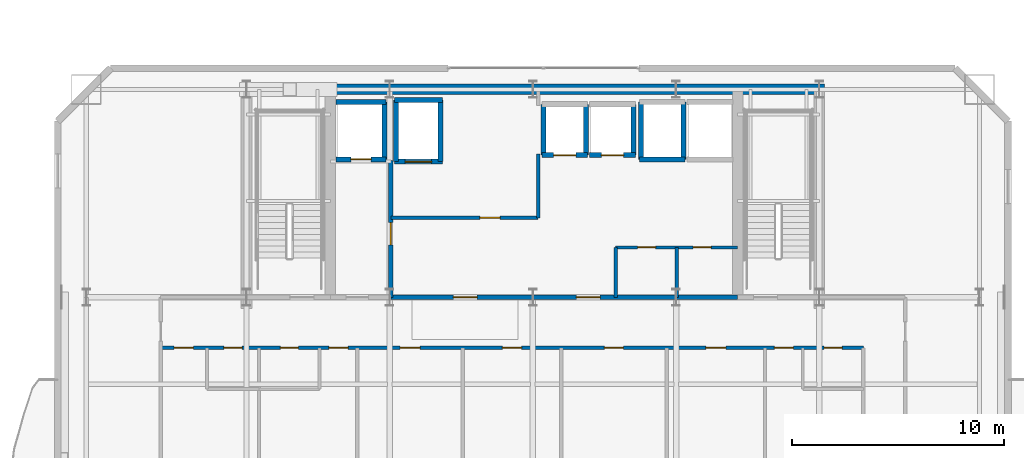
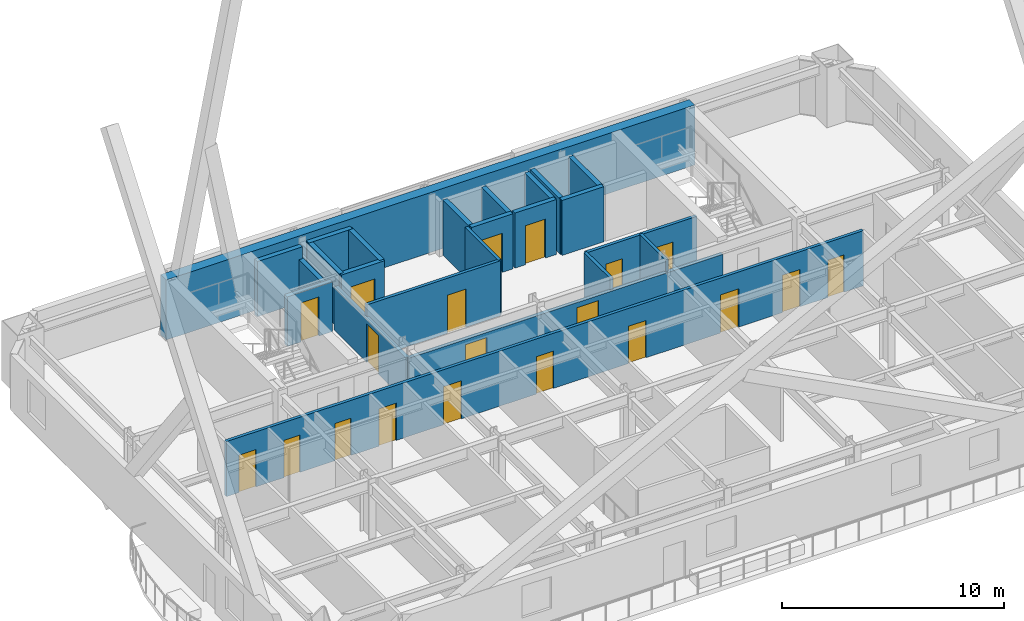
# One storey, part 12 of 22: 24 walls, 20 doors, 20 openings.
"""IFC4 building model written with IfcOpenShell, lengths in metres."""

from ifc_helpers import new_model, si_unit, direction, frame, frame_2d, origin, place, context, subcontext, project, spatial, rectangle, extrude, material, layer, layer_set, type_object, element, fill, save


model = new_model("IFC4")

# Units and contexts
model_context = context("Model", 3, precision=1e-05, world=origin(), true_north=direction((0.0, 1.0)))
body_context = subcontext(model_context, "Body", "Model", "MODEL_VIEW")
ifc_project = project(units=[si_unit("LENGTHUNIT", "METRE"), si_unit("AREAUNIT", "SQUARE_METRE"), si_unit("VOLUMEUNIT", "CUBIC_METRE"), si_unit("PLANEANGLEUNIT", "RADIAN"), si_unit("MASSUNIT", "GRAM", prefix="KILO")], contexts=[model_context])

# Site, building, storey
site_placement = place(None, origin())
site = spatial("IfcSite", under=ifc_project, at=site_placement, CompositionType="ELEMENT")
building_placement = place(site_placement, origin())
building = spatial("IfcBuilding", under=site, at=building_placement, Name="Haevon Station Towers", CompositionType="ELEMENT")
storey_placement = place(building_placement, frame((0.0, 0.0, 113.10009765625)))
storey = spatial("IfcBuildingStorey", under=building, at=storey_placement, Name="L30", CompositionType="ELEMENT", Elevation=113.10009765625)

# Wall, opening, door
ifc_material_1 = material(Name="Gypsum board on steel stud", Category="steel")
ifc_layer_1 = layer(ifc_material_1, 0.199951171875)
ifc_layer_set_1 = layer_set([ifc_layer_1], Name="Gypsum board on steel stud")
wall_type_1 = type_object("IfcWallType", Name="WL-COR200", PredefinedType="PARTITIONING", material=ifc_layer_set_1)
wall_1_placement = place(storey_placement, frame((30.800048828125, 38.199951171875, 0.0), z_axis=(0.0, 0.0, 1.0), x_axis=(0.0, 1.0, 0.0)))
wall_1 = element("IfcWall", 1, at=wall_1_placement, inside=storey, type_object=wall_type_1, Name="WL-T1FFL-L30-E", PredefinedType="PARTITIONING", context=body_context, shape_type="SweptSolid", body=[
    extrude(rectangle(XDim=6.449951171875, YDim=0.199951171875, at=frame_2d((3.22509765625, 0.0))), origin(), (0.0, 0.0, 1.0), 2.3798828125),
])
opening_1_placement = place(wall_1_placement, frame((2.469970703125, 0.0, 0.0)))
opening_1 = element("IfcOpeningElement", 2, at=opening_1_placement, cuts=wall_1, Name="Opening DR-T1FFL-L30-E", PredefinedType="OPENING", context=body_context, shape_type="SweptSolid", body=[
    extrude(rectangle(XDim=1.050048828125, YDim=2.10009765625, at=frame_2d((0.52490234375, 1.050048828125))), frame((0.0, 0.10986328125, 0.0), z_axis=(0.0, -1.0, 0.0), x_axis=(1.0, 0.0, 0.0)), (0.0, 0.0, 1.0), 0.219970703125),
])
ifc_material_2 = material(Name="Engineered oak timber", Category="wood")
door_type_1 = type_object("IfcDoorType", Name="DR-FD60-1050", OperationType="NOTDEFINED", PredefinedType="DOOR", material=ifc_material_2)
door_1_placement = place(opening_1_placement, origin())
door_1 = element("IfcDoor", 3, at=door_1_placement, inside=storey, type_object=door_type_1, Name="L30 Tower 1 Firefighting Lift Lobby Door E", OperationType="SINGLE_SWING_RIGHT", OverallHeight=2.10009765625, OverallWidth=1.050048828125, PredefinedType="DOOR", context=body_context, shape_type="SweptSolid", body=[
    extrude(rectangle(XDim=1.050048828125, YDim=2.10009765625, at=frame_2d((0.52490234375, 1.050048828125))), frame((0.0, 0.02490234375, 0.0), z_axis=(0.0, -1.0, 0.0), x_axis=(1.0, 0.0, 0.0)), (0.0, 0.0, 1.0), 0.050048828125),
])
fill(opening_1, door_1)

# Wall, openings, doors
wall_2_placement = place(storey_placement, frame((30.800048828125, 38.199951171875, 0.0), z_axis=(0.0, 0.0, 1.0), x_axis=(1.0, 0.0, 0.0)))
wall_2 = element("IfcWall", 4, at=wall_2_placement, inside=storey, type_object=wall_type_1, Name="WL-T1CLB-L30", PredefinedType="PARTITIONING", context=body_context, shape_type="SweptSolid", body=[
    extrude(rectangle(XDim=16.349853515625, YDim=0.199951171875, at=frame_2d((8.1748046875, 0.0))), origin(), (0.0, 0.0, 1.0), 2.3798828125),
])
opening_2_placement = place(wall_2_placement, frame((2.949951171875, 0.0, 0.0)))
opening_2 = element("IfcOpeningElement", 5, at=opening_2_placement, cuts=wall_2, Name="Opening DR-T1CLB-L30-1", PredefinedType="OPENING", context=body_context, shape_type="SweptSolid", body=[
    extrude(rectangle(XDim=1.1201171875, YDim=2.10009765625, at=frame_2d((0.56005859375, 1.050048828125))), frame((0.0, 0.10986328125, 0.0), z_axis=(0.0, -1.0, 0.0), x_axis=(1.0, 0.0, 0.0)), (0.0, 0.0, 1.0), 0.219970703125),
])
opening_3_placement = place(wall_2_placement, frame((8.75, 0.0, 0.0)))
opening_3 = element("IfcOpeningElement", 6, at=opening_3_placement, cuts=wall_2, Name="Opening DR-T1CLB-L30-2", PredefinedType="OPENING", context=body_context, shape_type="SweptSolid", body=[
    extrude(rectangle(XDim=1.1201171875, YDim=2.10009765625, at=frame_2d((0.56005859375, 1.050048828125))), frame((0.0, 0.10986328125, 0.0), z_axis=(0.0, -1.0, 0.0), x_axis=(1.0, 0.0, 0.0)), (0.0, 0.0, 1.0), 0.219970703125),
])
door_type_2 = type_object("IfcDoorType", Name="DR-ST-1120", OperationType="NOTDEFINED", PredefinedType="DOOR", material=ifc_material_2)
door_2_placement = place(opening_2_placement, origin())
door_2 = element("IfcDoor", 7, at=door_2_placement, inside=storey, type_object=door_type_2, Name="L30 Tower 1 Core Lift Lobby Door 1", OperationType="SINGLE_SWING_RIGHT", OverallHeight=2.10009765625, OverallWidth=1.1201171875, PredefinedType="DOOR", context=body_context, shape_type="SweptSolid", body=[
    extrude(rectangle(XDim=1.1201171875, YDim=2.10009765625, at=frame_2d((0.56005859375, 1.050048828125))), frame((0.0, 0.02490234375, 0.0), z_axis=(0.0, -1.0, 0.0), x_axis=(1.0, 0.0, 0.0)), (0.0, 0.0, 1.0), 0.050048828125),
])
fill(opening_2, door_2)
door_3_placement = place(opening_3_placement, origin())
door_3 = element("IfcDoor", 8, at=door_3_placement, inside=storey, type_object=door_type_2, Name="L30 Tower 1 Core Lift Lobby Door 2", OperationType="SINGLE_SWING_LEFT", OverallHeight=2.10009765625, OverallWidth=1.1201171875, PredefinedType="DOOR", context=body_context, shape_type="SweptSolid", body=[
    extrude(rectangle(XDim=1.1201171875, YDim=2.10009765625, at=frame_2d((0.56005859375, 1.050048828125))), frame((0.0, 0.02490234375, 0.0), z_axis=(0.0, -1.0, 0.0), x_axis=(1.0, 0.0, 0.0)), (0.0, 0.0, 1.0), 0.050048828125),
])
fill(opening_3, door_3)

# Wall
ifc_material_3 = material(Name="Concrete C60/75", Category="concrete")
ifc_layer_2 = layer(ifc_material_3, 0.5)
ifc_layer_set_2 = layer_set([ifc_layer_2], Name="Concrete C60/75")
wall_type_2 = type_object("IfcWallType", Name="WL-CR500", PredefinedType="SHEAR", material=ifc_layer_set_2)
wall_3_placement = place(storey_placement, frame((23.75, 48.0, 0.0), z_axis=(0.0, 0.0, 1.0), x_axis=(1.0, 0.0, 0.0)))
element("IfcWall", 9, at=wall_3_placement, inside=storey, type_object=wall_type_2, Name="WL-T1CR-L30-N", PredefinedType="SHEAR", context=body_context, shape_type="SweptSolid", body=[
    extrude(rectangle(XDim=27.5, YDim=0.5, at=frame_2d((13.75, 0.0))), origin(), (0.0, 0.0, 1.0), 3.2998046875),
])

# Wall, opening, door
ifc_layer_3 = layer(ifc_material_1, 0.159912109375)
ifc_layer_set_3 = layer_set([ifc_layer_3], Name="Gypsum board on steel stud")
wall_type_3 = type_object("IfcWallType", Name="WL-PRT160", PredefinedType="PARTITIONING", material=ifc_layer_set_3)
wall_4_placement = place(storey_placement, frame((30.800048828125, 41.949951171875, 0.0), z_axis=(0.0, 0.0, 1.0), x_axis=(1.0, 0.0, 0.0)))
wall_4 = element("IfcWall", 10, at=wall_4_placement, inside=storey, type_object=wall_type_3, Name="WL-T1CW-L30-01", PredefinedType="PARTITIONING", context=body_context, shape_type="SweptSolid", body=[
    extrude(rectangle(XDim=6.949951171875, YDim=0.159912109375, at=frame_2d((3.47509765625, 0.0))), origin(), (0.0, 0.0, 1.0), 3.02978515625),
])
opening_4_placement = place(wall_4_placement, frame((4.199951171875, 0.0, 0.0)))
opening_4 = element("IfcOpeningElement", 11, at=opening_4_placement, cuts=wall_4, Name="Opening DR-WL-T1CW-L30-01-1", PredefinedType="OPENING", context=body_context, shape_type="SweptSolid", body=[
    extrude(rectangle(XDim=0.949951171875, YDim=2.10009765625, at=frame_2d((0.47509765625, 1.050048828125))), frame((0.0, 0.08984375, 0.0), z_axis=(0.0, -1.0, 0.0), x_axis=(1.0, 0.0, 0.0)), (0.0, 0.0, 1.0), 0.179931640625),
])
door_type_3 = type_object("IfcDoorType", Name="DR-FD60-950", OperationType="NOTDEFINED", PredefinedType="DOOR", material=ifc_material_2)
door_4_placement = place(opening_4_placement, origin())
door_4 = element("IfcDoor", 12, at=door_4_placement, inside=storey, type_object=door_type_3, Name="L30 Tower 1 Core Room Door 1-1", OperationType="SINGLE_SWING_RIGHT", OverallHeight=2.10009765625, OverallWidth=0.949951171875, PredefinedType="DOOR", context=body_context, shape_type="SweptSolid", body=[
    extrude(rectangle(XDim=0.949951171875, YDim=2.10009765625, at=frame_2d((0.47509765625, 1.050048828125))), frame((0.0, 0.02490234375, 0.0), z_axis=(0.0, -1.0, 0.0), x_axis=(1.0, 0.0, 0.0)), (0.0, 0.0, 1.0), 0.050048828125),
])
fill(opening_4, door_4)

# Walls
wall_5_placement = place(storey_placement, frame((37.75, 41.949951171875, 0.0), z_axis=(0.0, 0.0, 1.0), x_axis=(0.0, 1.0, 0.0)))
element("IfcWall", 13, at=wall_5_placement, inside=storey, type_object=wall_type_3, Name="WL-T1CW-L30-02", PredefinedType="PARTITIONING", context=body_context, shape_type="SweptSolid", body=[
    extrude(rectangle(XDim=3.0, YDim=0.159912109375, at=frame_2d((1.5, 0.0))), origin(), (0.0, 0.0, 1.0), 3.02978515625),
])
for number, where, z_axis, x_axis, name in (
    (14, (41.39990234375, 38.199951171875, 0.0), (0.0, 0.0, 1.0), (0.0, 1.0, 0.0), "WL-T1CW-L30-04"),
    (15, (44.280029296875, 38.199951171875, 0.0), (0.0, 0.0, 1.0), (0.0, 1.0, 0.0), "WL-T1CW-L30-05"),
):
    element("IfcWall", number, at=place(storey_placement, frame(where, z_axis=z_axis, x_axis=x_axis)), inside=storey, type_object=wall_type_3, Name=name, PredefinedType="PARTITIONING", context=body_context, shape_type="SweptSolid", body=[
        extrude(rectangle(XDim=2.35009765625, YDim=0.159912109375, at=frame_2d((1.175048828125, 0.0))), origin(), (0.0, 0.0, 1.0), 3.02978515625),
    ])

# Wall, openings, doors
wall_6_placement = place(storey_placement, frame((41.39990234375, 40.550048828125, 0.0), z_axis=(0.0, 0.0, 1.0), x_axis=(1.0, 0.0, 0.0)))
wall_6 = element("IfcWall", 16, at=wall_6_placement, inside=storey, type_object=wall_type_3, Name="WL-T1CW-L30-06", PredefinedType="PARTITIONING", context=body_context, shape_type="SweptSolid", body=[
    extrude(rectangle(XDim=5.75, YDim=0.159912109375, at=frame_2d((2.875, 0.0))), origin(), (0.0, 0.0, 1.0), 3.02978515625),
])
opening_5_placement = place(wall_6_placement, frame((1.034912109375, 0.0, 0.0)))
opening_5 = element("IfcOpeningElement", 17, at=opening_5_placement, cuts=wall_6, Name="Opening DR-WL-T1CW-L30-06-1", PredefinedType="OPENING", context=body_context, shape_type="SweptSolid", body=[
    extrude(rectangle(XDim=0.85009765625, YDim=2.050048828125, at=frame_2d((0.425048828125, 1.02490234375))), frame((0.0, 0.08984375, 0.0), z_axis=(0.0, -1.0, 0.0), x_axis=(1.0, 0.0, 0.0)), (0.0, 0.0, 1.0), 0.179931640625),
])
opening_6_placement = place(wall_6_placement, frame((3.655029296875, 0.0, 0.0)))
opening_6 = element("IfcOpeningElement", 18, at=opening_6_placement, cuts=wall_6, Name="Opening DR-WL-T1CW-L30-06-2", PredefinedType="OPENING", context=body_context, shape_type="SweptSolid", body=[
    extrude(rectangle(XDim=0.85009765625, YDim=2.050048828125, at=frame_2d((0.425048828125, 1.02490234375))), frame((0.0, 0.08984375, 0.0), z_axis=(0.0, -1.0, 0.0), x_axis=(1.0, 0.0, 0.0)), (0.0, 0.0, 1.0), 0.179931640625),
])
door_type_4 = type_object("IfcDoorType", Name="DR-FD30-850", OperationType="NOTDEFINED", PredefinedType="DOOR", material=ifc_material_2)
door_5_placement = place(opening_5_placement, origin())
door_5 = element("IfcDoor", 19, at=door_5_placement, inside=storey, type_object=door_type_4, Name="L30 Tower 1 Core Room Door 6-1", OperationType="SINGLE_SWING_LEFT", OverallHeight=2.050048828125, OverallWidth=0.85009765625, PredefinedType="DOOR", context=body_context, shape_type="SweptSolid", body=[
    extrude(rectangle(XDim=0.85009765625, YDim=2.050048828125, at=frame_2d((0.425048828125, 1.02490234375))), frame((0.0, 0.02490234375, 0.0), z_axis=(0.0, -1.0, 0.0), x_axis=(1.0, 0.0, 0.0)), (0.0, 0.0, 1.0), 0.050048828125),
])
fill(opening_5, door_5)
door_6_placement = place(opening_6_placement, origin())
door_6 = element("IfcDoor", 20, at=door_6_placement, inside=storey, type_object=door_type_4, Name="L30 Tower 1 Core Room Door 6-2", OperationType="SINGLE_SWING_RIGHT", OverallHeight=2.050048828125, OverallWidth=0.85009765625, PredefinedType="DOOR", context=body_context, shape_type="SweptSolid", body=[
    extrude(rectangle(XDim=0.85009765625, YDim=2.050048828125, at=frame_2d((0.425048828125, 1.02490234375))), frame((0.0, 0.02490234375, 0.0), z_axis=(0.0, -1.0, 0.0), x_axis=(1.0, 0.0, 0.0)), (0.0, 0.0, 1.0), 0.050048828125),
])
fill(opening_6, door_6)

wall_7_placement = place(storey_placement, frame((19.949951171875, 35.820068359375, 0.0), z_axis=(0.0, 0.0, 1.0), x_axis=(1.0, 0.0, 0.0)))
wall_7 = element("IfcWall", 21, at=wall_7_placement, inside=storey, type_object=wall_type_3, Name="WL-T1PT-L30-24", PredefinedType="PARTITIONING", context=body_context, shape_type="SweptSolid", body=[
    extrude(rectangle(XDim=33.130126953125, YDim=0.159912109375, at=frame_2d((16.56494140625, 0.0))), origin(), (0.0, 0.0, 1.0), 3.02978515625),
])
opening_7_placement = place(wall_7_placement, frame((2.988037109375, 0.0, 0.0)))
opening_7 = element("IfcOpeningElement", 22, at=opening_7_placement, cuts=wall_7, Name="Opening DR-WL-T1PT-L30-24-01", PredefinedType="OPENING", context=body_context, shape_type="SweptSolid", body=[
    extrude(rectangle(XDim=0.85009765625, YDim=2.050048828125, at=frame_2d((0.425048828125, 1.02490234375))), frame((0.0, 0.08984375, 0.0), z_axis=(0.0, -1.0, 0.0), x_axis=(1.0, 0.0, 0.0)), (0.0, 0.0, 1.0), 0.179931640625),
])
opening_8_placement = place(wall_7_placement, frame((0.64404296875, 0.0, 0.0)))
opening_8 = element("IfcOpeningElement", 23, at=opening_8_placement, cuts=wall_7, Name="Opening DR-WL-T1PT-L30-24-02", PredefinedType="OPENING", context=body_context, shape_type="SweptSolid", body=[
    extrude(rectangle(XDim=0.89990234375, YDim=2.050048828125, at=frame_2d((0.449951171875, 1.02490234375))), frame((0.0, 0.08984375, 0.0), z_axis=(0.0, -1.0, 0.0), x_axis=(1.0, 0.0, 0.0)), (0.0, 0.0, 1.0), 0.179931640625),
])
opening_9_placement = place(wall_7_placement, frame((5.64208984375, 0.0, 0.0)))
opening_9 = element("IfcOpeningElement", 24, at=opening_9_placement, cuts=wall_7, Name="Opening DR-WL-T1PT-L30-24-03", PredefinedType="OPENING", context=body_context, shape_type="SweptSolid", body=[
    extrude(rectangle(XDim=0.85009765625, YDim=2.050048828125, at=frame_2d((0.425048828125, 1.02490234375))), frame((0.0, 0.08984375, 0.0), z_axis=(0.0, -1.0, 0.0), x_axis=(1.0, 0.0, 0.0)), (0.0, 0.0, 1.0), 0.179931640625),
])
opening_10_placement = place(wall_7_placement, frame((7.93603515625, 0.0, 0.0)))
opening_10 = element("IfcOpeningElement", 25, at=opening_10_placement, cuts=wall_7, Name="Opening DR-WL-T1PT-L30-24-04", PredefinedType="OPENING", context=body_context, shape_type="SweptSolid", body=[
    extrude(rectangle(XDim=0.89990234375, YDim=2.050048828125, at=frame_2d((0.449951171875, 1.02490234375))), frame((0.0, 0.08984375, 0.0), z_axis=(0.0, -1.0, 0.0), x_axis=(1.0, 0.0, 0.0)), (0.0, 0.0, 1.0), 0.179931640625),
])
opening_11_placement = place(wall_7_placement, frame((11.285888671875, 0.0, 0.0)))
opening_11 = element("IfcOpeningElement", 26, at=opening_11_placement, cuts=wall_7, Name="Opening DR-WL-T1PT-L30-24-05", PredefinedType="OPENING", context=body_context, shape_type="SweptSolid", body=[
    extrude(rectangle(XDim=0.949951171875, YDim=2.10009765625, at=frame_2d((0.47509765625, 1.050048828125))), frame((0.0, 0.08984375, 0.0), z_axis=(0.0, -1.0, 0.0), x_axis=(1.0, 0.0, 0.0)), (0.0, 0.0, 1.0), 0.179931640625),
])
opening_12_placement = place(wall_7_placement, frame((16.114990234375, 0.0, 0.0)))
opening_12 = element("IfcOpeningElement", 27, at=opening_12_placement, cuts=wall_7, Name="Opening DR-WL-T1PT-L30-24-06", PredefinedType="OPENING", context=body_context, shape_type="SweptSolid", body=[
    extrude(rectangle(XDim=0.89990234375, YDim=2.050048828125, at=frame_2d((0.449951171875, 1.02490234375))), frame((0.0, 0.08984375, 0.0), z_axis=(0.0, -1.0, 0.0), x_axis=(1.0, 0.0, 0.0)), (0.0, 0.0, 1.0), 0.179931640625),
])
opening_13_placement = place(wall_7_placement, frame((20.9189453125, 0.0, 0.0)))
opening_13 = element("IfcOpeningElement", 28, at=opening_13_placement, cuts=wall_7, Name="Opening DR-WL-T1PT-L30-24-07", PredefinedType="OPENING", context=body_context, shape_type="SweptSolid", body=[
    extrude(rectangle(XDim=0.89990234375, YDim=2.050048828125, at=frame_2d((0.449951171875, 1.02490234375))), frame((0.0, 0.08984375, 0.0), z_axis=(0.0, -1.0, 0.0), x_axis=(1.0, 0.0, 0.0)), (0.0, 0.0, 1.0), 0.179931640625),
])
opening_14_placement = place(wall_7_placement, frame((25.697998046875, 0.0, 0.0)))
opening_14 = element("IfcOpeningElement", 29, at=opening_14_placement, cuts=wall_7, Name="Opening DR-WL-T1PT-L30-24-08", PredefinedType="OPENING", context=body_context, shape_type="SweptSolid", body=[
    extrude(rectangle(XDim=0.949951171875, YDim=2.10009765625, at=frame_2d((0.47509765625, 1.050048828125))), frame((0.0, 0.08984375, 0.0), z_axis=(0.0, -1.0, 0.0), x_axis=(1.0, 0.0, 0.0)), (0.0, 0.0, 1.0), 0.179931640625),
])
opening_15_placement = place(wall_7_placement, frame((31.27587890625, 0.0, 0.0)))
opening_15 = element("IfcOpeningElement", 30, at=opening_15_placement, cuts=wall_7, Name="Opening DR-WL-T1PT-L30-24-09", PredefinedType="OPENING", context=body_context, shape_type="SweptSolid", body=[
    extrude(rectangle(XDim=0.85009765625, YDim=2.050048828125, at=frame_2d((0.425048828125, 1.02490234375))), frame((0.0, 0.08984375, 0.0), z_axis=(0.0, -1.0, 0.0), x_axis=(1.0, 0.0, 0.0)), (0.0, 0.0, 1.0), 0.179931640625),
])
opening_16_placement = place(wall_7_placement, frame((28.931884765625, 0.0, 0.0)))
opening_16 = element("IfcOpeningElement", 31, at=opening_16_placement, cuts=wall_7, Name="Opening DR-WL-T1PT-L30-24-10", PredefinedType="OPENING", context=body_context, shape_type="SweptSolid", body=[
    extrude(rectangle(XDim=0.89990234375, YDim=2.050048828125, at=frame_2d((0.449951171875, 1.02490234375))), frame((0.0, 0.08984375, 0.0), z_axis=(0.0, -1.0, 0.0), x_axis=(1.0, 0.0, 0.0)), (0.0, 0.0, 1.0), 0.179931640625),
])
door_7_placement = place(opening_7_placement, origin())
door_7 = element("IfcDoor", 32, at=door_7_placement, inside=storey, type_object=door_type_4, Name="L30 Tower 1 Room Door 24-1", OperationType="SINGLE_SWING_LEFT", OverallHeight=2.050048828125, OverallWidth=0.85009765625, PredefinedType="DOOR", context=body_context, shape_type="SweptSolid", body=[
    extrude(rectangle(XDim=0.85009765625, YDim=2.050048828125, at=frame_2d((0.425048828125, 1.02490234375))), frame((0.0, 0.02490234375, 0.0), z_axis=(0.0, -1.0, 0.0), x_axis=(1.0, 0.0, 0.0)), (0.0, 0.0, 1.0), 0.050048828125),
])
fill(opening_7, door_7)
door_8_placement = place(opening_9_placement, origin())
door_8 = element("IfcDoor", 33, at=door_8_placement, inside=storey, type_object=door_type_4, Name="L30 Tower 1 Room Door 24-3", OperationType="SINGLE_SWING_LEFT", OverallHeight=2.050048828125, OverallWidth=0.85009765625, PredefinedType="DOOR", context=body_context, shape_type="SweptSolid", body=[
    extrude(rectangle(XDim=0.85009765625, YDim=2.050048828125, at=frame_2d((0.425048828125, 1.02490234375))), frame((0.0, 0.02490234375, 0.0), z_axis=(0.0, -1.0, 0.0), x_axis=(1.0, 0.0, 0.0)), (0.0, 0.0, 1.0), 0.050048828125),
])
fill(opening_9, door_8)
door_9_placement = place(opening_15_placement, origin())
door_9 = element("IfcDoor", 34, at=door_9_placement, inside=storey, type_object=door_type_4, Name="L30 Tower 1 Room Door 24-9", OperationType="SINGLE_SWING_LEFT", OverallHeight=2.050048828125, OverallWidth=0.85009765625, PredefinedType="DOOR", context=body_context, shape_type="SweptSolid", body=[
    extrude(rectangle(XDim=0.85009765625, YDim=2.050048828125, at=frame_2d((0.425048828125, 1.02490234375))), frame((0.0, 0.02490234375, 0.0), z_axis=(0.0, -1.0, 0.0), x_axis=(1.0, 0.0, 0.0)), (0.0, 0.0, 1.0), 0.050048828125),
])
fill(opening_15, door_9)
door_type_5 = type_object("IfcDoorType", Name="DR-FD30-950", OperationType="NOTDEFINED", PredefinedType="DOOR", material=ifc_material_2)
door_10_placement = place(opening_11_placement, origin())
door_10 = element("IfcDoor", 35, at=door_10_placement, inside=storey, type_object=door_type_5, Name="L30 Tower 1 Room Door 24-5", OperationType="SINGLE_SWING_LEFT", OverallHeight=2.10009765625, OverallWidth=0.949951171875, PredefinedType="DOOR", context=body_context, shape_type="SweptSolid", body=[
    extrude(rectangle(XDim=0.949951171875, YDim=2.10009765625, at=frame_2d((0.47509765625, 1.050048828125))), frame((0.0, 0.02490234375, 0.0), z_axis=(0.0, -1.0, 0.0), x_axis=(1.0, 0.0, 0.0)), (0.0, 0.0, 1.0), 0.050048828125),
])
fill(opening_11, door_10)
door_11_placement = place(opening_14_placement, origin())
door_11 = element("IfcDoor", 36, at=door_11_placement, inside=storey, type_object=door_type_5, Name="L30 Tower 1 Room Door 24-8", OperationType="SINGLE_SWING_RIGHT", OverallHeight=2.10009765625, OverallWidth=0.949951171875, PredefinedType="DOOR", context=body_context, shape_type="SweptSolid", body=[
    extrude(rectangle(XDim=0.949951171875, YDim=2.10009765625, at=frame_2d((0.47509765625, 1.050048828125))), frame((0.0, 0.02490234375, 0.0), z_axis=(0.0, -1.0, 0.0), x_axis=(1.0, 0.0, 0.0)), (0.0, 0.0, 1.0), 0.050048828125),
])
fill(opening_14, door_11)
door_type_6 = type_object("IfcDoorType", Name="DR-INT-900", OperationType="NOTDEFINED", PredefinedType="DOOR", material=ifc_material_2)
door_12_placement = place(opening_8_placement, origin())
door_12 = element("IfcDoor", 37, at=door_12_placement, inside=storey, type_object=door_type_6, Name="L30 Tower 1 Room Door 24-2", OperationType="SINGLE_SWING_RIGHT", OverallHeight=2.050048828125, OverallWidth=0.89990234375, PredefinedType="DOOR", context=body_context, shape_type="SweptSolid", body=[
    extrude(rectangle(XDim=0.89990234375, YDim=2.050048828125, at=frame_2d((0.449951171875, 1.02490234375))), frame((0.0, 0.02490234375, 0.0), z_axis=(0.0, -1.0, 0.0), x_axis=(1.0, 0.0, 0.0)), (0.0, 0.0, 1.0), 0.050048828125),
])
fill(opening_8, door_12)
door_13_placement = place(opening_10_placement, origin())
door_13 = element("IfcDoor", 38, at=door_13_placement, inside=storey, type_object=door_type_6, Name="L30 Tower 1 Room Door 24-4", OperationType="SINGLE_SWING_RIGHT", OverallHeight=2.050048828125, OverallWidth=0.89990234375, PredefinedType="DOOR", context=body_context, shape_type="SweptSolid", body=[
    extrude(rectangle(XDim=0.89990234375, YDim=2.050048828125, at=frame_2d((0.449951171875, 1.02490234375))), frame((0.0, 0.02490234375, 0.0), z_axis=(0.0, -1.0, 0.0), x_axis=(1.0, 0.0, 0.0)), (0.0, 0.0, 1.0), 0.050048828125),
])
fill(opening_10, door_13)
door_14_placement = place(opening_12_placement, origin())
door_14 = element("IfcDoor", 39, at=door_14_placement, inside=storey, type_object=door_type_6, Name="L30 Tower 1 Room Door 24-6", OperationType="SINGLE_SWING_RIGHT", OverallHeight=2.050048828125, OverallWidth=0.89990234375, PredefinedType="DOOR", context=body_context, shape_type="SweptSolid", body=[
    extrude(rectangle(XDim=0.89990234375, YDim=2.050048828125, at=frame_2d((0.449951171875, 1.02490234375))), frame((0.0, 0.02490234375, 0.0), z_axis=(0.0, -1.0, 0.0), x_axis=(1.0, 0.0, 0.0)), (0.0, 0.0, 1.0), 0.050048828125),
])
fill(opening_12, door_14)
door_15_placement = place(opening_13_placement, origin())
door_15 = element("IfcDoor", 40, at=door_15_placement, inside=storey, type_object=door_type_6, Name="L30 Tower 1 Room Door 24-7", OperationType="SINGLE_SWING_LEFT", OverallHeight=2.050048828125, OverallWidth=0.89990234375, PredefinedType="DOOR", context=body_context, shape_type="SweptSolid", body=[
    extrude(rectangle(XDim=0.89990234375, YDim=2.050048828125, at=frame_2d((0.449951171875, 1.02490234375))), frame((0.0, 0.02490234375, 0.0), z_axis=(0.0, -1.0, 0.0), x_axis=(1.0, 0.0, 0.0)), (0.0, 0.0, 1.0), 0.050048828125),
])
fill(opening_13, door_15)
door_16_placement = place(opening_16_placement, origin())
door_16 = element("IfcDoor", 41, at=door_16_placement, inside=storey, type_object=door_type_6, Name="L30 Tower 1 Room Door 24-10", OperationType="SINGLE_SWING_RIGHT", OverallHeight=2.050048828125, OverallWidth=0.89990234375, PredefinedType="DOOR", context=body_context, shape_type="SweptSolid", body=[
    extrude(rectangle(XDim=0.89990234375, YDim=2.050048828125, at=frame_2d((0.449951171875, 1.02490234375))), frame((0.0, 0.02490234375, 0.0), z_axis=(0.0, -1.0, 0.0), x_axis=(1.0, 0.0, 0.0)), (0.0, 0.0, 1.0), 0.050048828125),
])
fill(opening_16, door_16)

# Wall, opening, door
ifc_material_4 = material(Name="Concrete C40/50", Category="concrete")
ifc_layer_4 = layer(ifc_material_4, 0.239990234375)
ifc_layer_set_4 = layer_set([ifc_layer_4], Name="Concrete C40/50")
wall_type_4 = type_object("IfcWallType", Name="WL-SHF240", PredefinedType="PARTITIONING", material=ifc_layer_set_4)
wall_8_placement = place(storey_placement, frame((28.219970703125, 44.699951171875, 0.0), z_axis=(0.0, 0.0, 1.0), x_axis=(1.0, 0.0, 0.0)))
wall_8 = element("IfcWall", 42, at=wall_8_placement, inside=storey, type_object=wall_type_4, Name="WL-SHF-FL1-L30", PredefinedType="PARTITIONING", context=body_context, shape_type="SweptSolid", body=[
    extrude(rectangle(XDim=2.360107421875, YDim=0.239990234375, at=frame_2d((1.18017578125, 0.0))), origin(), (0.0, 0.0, 1.0), 2.72998046875),
])
opening_17_placement = place(wall_8_placement, frame((0.705078125, 0.0, 0.0)))
opening_17 = element("IfcOpeningElement", 43, at=opening_17_placement, cuts=wall_8, Name="Opening LD-FL1-L30", PredefinedType="OPENING", context=body_context, shape_type="SweptSolid", body=[
    extrude(rectangle(XDim=0.949951171875, YDim=2.14990234375, at=frame_2d((0.47509765625, 1.074951171875))), frame((0.0, 0.1298828125, 0.0), z_axis=(0.0, -1.0, 0.0), x_axis=(1.0, 0.0, 0.0)), (0.0, 0.0, 1.0), 0.260009765625),
])
ifc_material_5 = material(Name="Stainless steel and rated core", Category="steel")
door_type_7 = type_object("IfcDoorType", Name="LD-FL950", OperationType="SLIDING_TO_LEFT", PredefinedType="DOOR", material=ifc_material_5)
door_17_placement = place(opening_17_placement, origin())
door_17 = element("IfcDoor", 44, at=door_17_placement, inside=storey, type_object=door_type_7, Name="L30 Lift FL1 Sliding Landing Door", OperationType="SLIDING_TO_LEFT", OverallHeight=2.14990234375, OverallWidth=0.949951171875, PredefinedType="DOOR", context=body_context, shape_type="SweptSolid", body=[
    extrude(rectangle(XDim=0.949951171875, YDim=2.14990234375, at=frame_2d((0.47509765625, 1.074951171875))), frame((0.0, 0.02490234375, 0.0), z_axis=(0.0, -1.0, 0.0), x_axis=(1.0, 0.0, 0.0)), (0.0, 0.0, 1.0), 0.050048828125),
])
fill(opening_17, door_17)

# Walls
wall_9_placement = place(storey_placement, frame((28.219970703125, 47.39990234375, 0.0), z_axis=(0.0, 0.0, 1.0), x_axis=(1.0, 0.0, 0.0)))
element("IfcWall", 45, at=wall_9_placement, inside=storey, type_object=wall_type_4, Name="WL-SHF-FL1-L30-N", PredefinedType="PARTITIONING", context=body_context, shape_type="SweptSolid", body=[
    extrude(rectangle(XDim=2.360107421875, YDim=0.239990234375, at=frame_2d((1.18017578125, 0.0))), origin(), (0.0, 0.0, 1.0), 3.02978515625),
])
wall_10_placement = place(storey_placement, frame((30.5, 44.699951171875, 0.0), z_axis=(0.0, 0.0, 1.0), x_axis=(0.0, 1.0, 0.0)))
element("IfcWall", 46, at=wall_10_placement, inside=storey, type_object=wall_type_4, Name="WL-SHF-FL1-L30-E", PredefinedType="PARTITIONING", context=body_context, shape_type="SweptSolid", body=[
    extrude(rectangle(XDim=2.699951171875, YDim=0.239990234375, at=frame_2d((1.35009765625, 0.0))), origin(), (0.0, 0.0, 1.0), 2.3798828125),
])

# Wall, opening, door
wall_11_placement = place(storey_placement, frame((30.969970703125, 44.60009765625, 0.0), z_axis=(0.0, 0.0, 1.0), x_axis=(1.0, 0.0, 0.0)))
wall_11 = element("IfcWall", 47, at=wall_11_placement, inside=storey, type_object=wall_type_4, Name="WL-SHF-SL1-L30", PredefinedType="PARTITIONING", context=body_context, shape_type="SweptSolid", body=[
    extrude(rectangle(XDim=2.260009765625, YDim=0.239990234375, at=frame_2d((1.1298828125, 0.0))), origin(), (0.0, 0.0, 1.0), 3.02978515625),
])
opening_18_placement = place(wall_11_placement, frame((0.5048828125, 0.0, 0.0)))
opening_18 = element("IfcOpeningElement", 48, at=opening_18_placement, cuts=wall_11, Name="Opening LD-SL1-L30", PredefinedType="OPENING", context=body_context, shape_type="SweptSolid", body=[
    extrude(rectangle(XDim=1.25, YDim=2.199951171875, at=frame_2d((0.625, 1.10009765625))), frame((0.0, 0.1298828125, 0.0), z_axis=(0.0, -1.0, 0.0), x_axis=(1.0, 0.0, 0.0)), (0.0, 0.0, 1.0), 0.260009765625),
])
door_type_8 = type_object("IfcDoorType", Name="LD-SL1250", OperationType="SLIDING_TO_LEFT", PredefinedType="DOOR", material=ifc_material_5)
door_18_placement = place(opening_18_placement, origin())
door_18 = element("IfcDoor", 49, at=door_18_placement, inside=storey, type_object=door_type_8, Name="L30 Lift SL1 Sliding Landing Door", OperationType="SLIDING_TO_LEFT", OverallHeight=2.199951171875, OverallWidth=1.25, PredefinedType="DOOR", context=body_context, shape_type="SweptSolid", body=[
    extrude(rectangle(XDim=1.25, YDim=2.199951171875, at=frame_2d((0.625, 1.10009765625))), frame((0.0, 0.02490234375, 0.0), z_axis=(0.0, -1.0, 0.0), x_axis=(1.0, 0.0, 0.0)), (0.0, 0.0, 1.0), 0.050048828125),
])
fill(opening_18, door_18)

# Walls
wall_12_placement = place(storey_placement, frame((30.969970703125, 47.5, 0.0), z_axis=(0.0, 0.0, 1.0), x_axis=(1.0, 0.0, 0.0)))
element("IfcWall", 50, at=wall_12_placement, inside=storey, type_object=wall_type_4, Name="WL-SHF-SL1-L30-N", PredefinedType="PARTITIONING", context=body_context, shape_type="SweptSolid", body=[
    extrude(rectangle(XDim=2.260009765625, YDim=0.239990234375, at=frame_2d((1.1298828125, 0.0))), origin(), (0.0, 0.0, 1.0), 3.02978515625),
])
for number, where, z_axis, x_axis, name in (
    (51, (31.050048828125, 44.60009765625, 0.0), (0.0, 0.0, 1.0), (0.0, 1.0, 0.0), "WL-SHF-SL1-L30-W"),
    (52, (33.14990234375, 44.60009765625, 0.0), (0.0, 0.0, 1.0), (0.0, 1.0, 0.0), "WL-SHF-SL1-L30-E"),
):
    element("IfcWall", number, at=place(storey_placement, frame(where, z_axis=z_axis, x_axis=x_axis)), inside=storey, type_object=wall_type_4, Name=name, PredefinedType="PARTITIONING", context=body_context, shape_type="SweptSolid", body=[
        extrude(rectangle(XDim=2.89990234375, YDim=0.239990234375, at=frame_2d((1.449951171875, 0.0))), origin(), (0.0, 0.0, 1.0), 3.02978515625),
    ])

# Wall, opening, door
wall_13_placement = place(storey_placement, frame((37.919921875, 44.89990234375, 0.0), z_axis=(0.0, 0.0, 1.0), x_axis=(1.0, 0.0, 0.0)))
wall_13 = element("IfcWall", 53, at=wall_13_placement, inside=storey, type_object=wall_type_4, Name="WL-SHF-PL3-L30", PredefinedType="PARTITIONING", context=body_context, shape_type="SweptSolid", body=[
    extrude(rectangle(XDim=2.16015625, YDim=0.239990234375, at=frame_2d((1.080078125, 0.0))), origin(), (0.0, 0.0, 1.0), 3.02978515625),
])
opening_19_placement = place(wall_13_placement, frame((0.554931640625, 0.0, 0.0)))
opening_19 = element("IfcOpeningElement", 54, at=opening_19_placement, cuts=wall_13, Name="Opening LD-PL3-L30", PredefinedType="OPENING", context=body_context, shape_type="SweptSolid", body=[
    extrude(rectangle(XDim=1.050048828125, YDim=2.14990234375, at=frame_2d((0.52490234375, 1.074951171875))), frame((0.0, 0.1298828125, 0.0), z_axis=(0.0, -1.0, 0.0), x_axis=(1.0, 0.0, 0.0)), (0.0, 0.0, 1.0), 0.260009765625),
])
door_type_9 = type_object("IfcDoorType", Name="LD-PL1050", OperationType="SLIDING_TO_LEFT", PredefinedType="DOOR", material=ifc_material_5)
door_19_placement = place(opening_19_placement, origin())
door_19 = element("IfcDoor", 55, at=door_19_placement, inside=storey, type_object=door_type_9, Name="L30 Lift PL3 Sliding Landing Door", OperationType="SLIDING_TO_LEFT", OverallHeight=2.14990234375, OverallWidth=1.050048828125, PredefinedType="DOOR", context=body_context, shape_type="SweptSolid", body=[
    extrude(rectangle(XDim=1.050048828125, YDim=2.14990234375, at=frame_2d((0.52490234375, 1.074951171875))), frame((0.0, 0.02490234375, 0.0), z_axis=(0.0, -1.0, 0.0), x_axis=(1.0, 0.0, 0.0)), (0.0, 0.0, 1.0), 0.050048828125),
])
fill(opening_19, door_19)

# Walls
for number, where, z_axis, x_axis, name in (
    (56, (38.0, 44.89990234375, 0.0), (0.0, 0.0, 1.0), (0.0, 1.0, 0.0), "WL-SHF-PL3-L30-W"),
    (57, (40.0, 44.89990234375, 0.0), (0.0, 0.0, 1.0), (0.0, 1.0, 0.0), "WL-SHF-PL3-L30-E"),
):
    element("IfcWall", number, at=place(storey_placement, frame(where, z_axis=z_axis, x_axis=x_axis)), inside=storey, type_object=wall_type_4, Name=name, PredefinedType="PARTITIONING", context=body_context, shape_type="SweptSolid", body=[
        extrude(rectangle(XDim=2.400146484375, YDim=0.239990234375, at=frame_2d((1.2001953125, 0.0))), origin(), (0.0, 0.0, 1.0), 3.02978515625),
    ])

# Wall, opening, door
wall_14_placement = place(storey_placement, frame((40.169921875, 44.89990234375, 0.0), z_axis=(0.0, 0.0, 1.0), x_axis=(1.0, 0.0, 0.0)))
wall_14 = element("IfcWall", 58, at=wall_14_placement, inside=storey, type_object=wall_type_4, Name="WL-SHF-PL4-L30", PredefinedType="PARTITIONING", context=body_context, shape_type="SweptSolid", body=[
    extrude(rectangle(XDim=2.16015625, YDim=0.239990234375, at=frame_2d((1.080078125, 0.0))), origin(), (0.0, 0.0, 1.0), 3.02978515625),
])
opening_20_placement = place(wall_14_placement, frame((0.554931640625, 0.0, 0.0)))
opening_20 = element("IfcOpeningElement", 59, at=opening_20_placement, cuts=wall_14, Name="Opening LD-PL4-L30", PredefinedType="OPENING", context=body_context, shape_type="SweptSolid", body=[
    extrude(rectangle(XDim=1.050048828125, YDim=2.14990234375, at=frame_2d((0.52490234375, 1.074951171875))), frame((0.0, 0.1298828125, 0.0), z_axis=(0.0, -1.0, 0.0), x_axis=(1.0, 0.0, 0.0)), (0.0, 0.0, 1.0), 0.260009765625),
])
door_20_placement = place(opening_20_placement, origin())
door_20 = element("IfcDoor", 60, at=door_20_placement, inside=storey, type_object=door_type_9, Name="L30 Lift PL4 Sliding Landing Door", OperationType="SLIDING_TO_LEFT", OverallHeight=2.14990234375, OverallWidth=1.050048828125, PredefinedType="DOOR", context=body_context, shape_type="SweptSolid", body=[
    extrude(rectangle(XDim=1.050048828125, YDim=2.14990234375, at=frame_2d((0.52490234375, 1.074951171875))), frame((0.0, 0.02490234375, 0.0), z_axis=(0.0, -1.0, 0.0), x_axis=(1.0, 0.0, 0.0)), (0.0, 0.0, 1.0), 0.050048828125),
])
fill(opening_20, door_20)

# Walls
wall_15_placement = place(storey_placement, frame((42.25, 44.89990234375, 0.0), z_axis=(0.0, 0.0, 1.0), x_axis=(0.0, 1.0, 0.0)))
element("IfcWall", 61, at=wall_15_placement, inside=storey, type_object=wall_type_4, Name="WL-SHF-PL4-L30-E", PredefinedType="PARTITIONING", context=body_context, shape_type="SweptSolid", body=[
    extrude(rectangle(XDim=2.400146484375, YDim=0.239990234375, at=frame_2d((1.2001953125, 0.0))), origin(), (0.0, 0.0, 1.0), 3.02978515625),
])
wall_16_placement = place(storey_placement, frame((42.52001953125, 44.699951171875, 0.0), z_axis=(0.0, 0.0, 1.0), x_axis=(1.0, 0.0, 0.0)))
element("IfcWall", 62, at=wall_16_placement, inside=storey, type_object=wall_type_4, Name="WL-SHF-PL5-L30", PredefinedType="PARTITIONING", context=body_context, shape_type="SweptSolid", body=[
    extrude(rectangle(XDim=2.159912109375, YDim=0.239990234375, at=frame_2d((1.080078125, 0.0))), origin(), (0.0, 0.0, 1.0), 3.02978515625),
])
for number, where, z_axis, x_axis, name in (
    (63, (42.60009765625, 44.699951171875, 0.0), (0.0, 0.0, 1.0), (0.0, 1.0, 0.0), "WL-SHF-PL5-L30-W"),
    (64, (44.60009765625, 44.699951171875, 0.0), (0.0, 0.0, 1.0), (0.0, 1.0, 0.0), "WL-SHF-PL5-L30-E"),
):
    element("IfcWall", number, at=place(storey_placement, frame(where, z_axis=z_axis, x_axis=x_axis)), inside=storey, type_object=wall_type_4, Name=name, PredefinedType="PARTITIONING", context=body_context, shape_type="SweptSolid", body=[
        extrude(rectangle(XDim=2.699951171875, YDim=0.239990234375, at=frame_2d((1.35009765625, 0.0))), origin(), (0.0, 0.0, 1.0), 3.02978515625),
    ])

save(model, "model.ifc")
